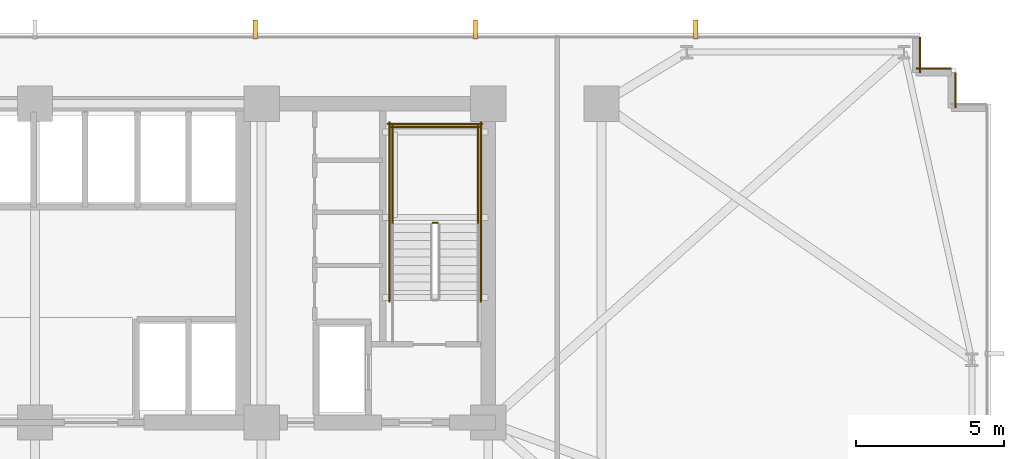
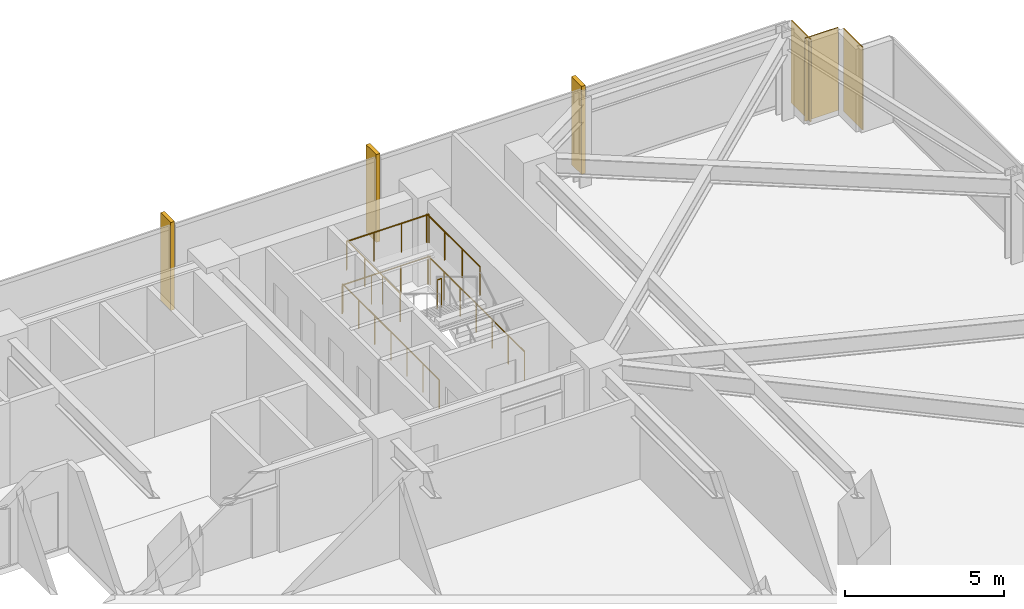
# One storey, part 32 of 33: 7 railings, 3 coverings, 3 shading devices.
"""IFC4 building model written with IfcOpenShell, lengths in metres."""

import ifcopenshell
import ifcopenshell.guid

model = None  # the IFC model being written
_history = None  # IfcOwnerHistory: only IFC2X3 demands one
_inside = {}  # id of a spatial element -> (the spatial element, [elements in it])
_under = {}  # id of a project, library or spatial element -> (it, [spatial elements below it])
_declared = {}  # id of a project -> (the project, [libraries it declares])
_typed = {}  # id of a type object -> (the type object, [elements of that type])
_made_of = {}  # id of a material, layer set ... -> (it, [elements and type objects made of it])


def new_model(schema):
    """Start an empty IFC model of exactly this schema.

    Asked for "IFC4X3", IfcOpenShell would pick the latest addendum, in which some entities
    have other attributes; the version numbers below select the first issue.
    IFC2X3 requires an IfcOwnerHistory on every rooted entity: one is made here for all.
    """
    global model, _history
    if schema == "IFC4X3":
        model = ifcopenshell.file(schema_version=(4, 3, 0, 0))
    else:
        model = ifcopenshell.file(schema=schema)
    _inside.clear()
    _under.clear()
    _declared.clear()
    _typed.clear()
    _made_of.clear()
    _history = None
    if model.schema == "IFC2X3":
        org = make("IfcOrganization", Name="unknown")
        user = make(
            "IfcPersonAndOrganization",
            ThePerson=make("IfcPerson", FamilyName="unknown"),
            TheOrganization=org,
        )
        app = make(
            "IfcApplication",
            ApplicationDeveloper=org,
            Version="unknown",
            ApplicationFullName="unknown",
            ApplicationIdentifier="unknown",
        )
        _history = make(
            "IfcOwnerHistory",
            OwningUser=user,
            OwningApplication=app,
            ChangeAction="ADDED",
            CreationDate=0,
        )
    return model


def make(cls, **values):
    """One entity of the class cls with the attributes given. An attribute that is None is left unset."""
    return model.create_entity(
        cls, **{name: value for name, value in values.items() if value is not None}
    )


def rooted(cls, **values):
    """An entity with a GlobalId (a new one), such as an element, a storey or a relation."""
    return make(cls, GlobalId=ifcopenshell.guid.new(), OwnerHistory=_history, **values)


def si_unit(unit_type, name, prefix=None):
    """IfcSIUnit, for example si_unit("LENGTHUNIT", "METRE", prefix="MILLI")."""
    return make("IfcSIUnit", UnitType=unit_type, Prefix=prefix, Name=name)


def assignment(units):
    """IfcUnitAssignment: the units of a project."""
    return None if units is None else make("IfcUnitAssignment", Units=units)


def point(xyz):
    """IfcCartesianPoint."""
    return None if xyz is None else make("IfcCartesianPoint", Coordinates=xyz)


def direction(xyz):
    """IfcDirection."""
    return None if xyz is None else make("IfcDirection", DirectionRatios=xyz)


def frame(location, z_axis=None, x_axis=None):
    """IfcAxis2Placement3D, a coordinate frame: its origin and axes. An axis left out is left unset."""
    return make(
        "IfcAxis2Placement3D",
        Location=point(location),
        Axis=direction(z_axis),
        RefDirection=direction(x_axis),
    )


def frame_2d(location, x_axis=None):
    """IfcAxis2Placement2D, a coordinate frame in the plane: its origin and x axis."""
    return make(
        "IfcAxis2Placement2D", Location=point(location), RefDirection=direction(x_axis)
    )


def origin():
    """The frame at (0, 0, 0) with its axes left unset."""
    return frame((0.0, 0.0, 0.0))


def origin_2d():
    """The frame at (0, 0) in the plane with its x axis left unset."""
    return frame_2d((0.0, 0.0))


def place(relative_to, where):
    """IfcLocalPlacement: puts the frame where relative to a parent placement (None: the world)."""
    return make(
        "IfcLocalPlacement", PlacementRelTo=relative_to, RelativePlacement=where
    )


def context(
    kind, dimensions, precision=None, world=None, true_north=None, identifier=None
):
    """IfcGeometricRepresentationContext, for example the 3D "Model" context."""
    return make(
        "IfcGeometricRepresentationContext",
        ContextIdentifier=identifier,
        ContextType=kind,
        CoordinateSpaceDimension=dimensions,
        Precision=precision,
        WorldCoordinateSystem=world,
        TrueNorth=true_north,
    )


def subcontext(parent, identifier, kind, view, scale=None):
    """IfcGeometricRepresentationSubContext, for example "Body" below "Model"."""
    return make(
        "IfcGeometricRepresentationSubContext",
        ContextIdentifier=identifier,
        ContextType=kind,
        ParentContext=parent,
        TargetScale=scale,
        TargetView=view,
    )


def project(units=None, contexts=None):
    """IfcProject with its units and contexts."""
    return rooted(
        "IfcProject",
        Name="project",
        RepresentationContexts=contexts,
        UnitsInContext=assignment(units),
    )


def spatial(cls, under=None, at=None, **own):
    """A site, building, storey or space (cls), placed at a placement, below another one or the project."""
    s = rooted(cls, ObjectPlacement=at, **own)
    if under is not None:
        _under.setdefault(under.id(), (under, []))[1].append(s)
    return s


def profile(cls, at=None, kind="AREA", **sizes):
    """A parametric profile (cls). Its sizes go by their IFC names, for example OverallWidth=200.0."""
    return make(cls, ProfileType=kind, Position=at, **sizes)


def rectangle(**sizes):
    """IfcRectangleProfileDef."""
    return profile("IfcRectangleProfileDef", **sizes)


def circle(**sizes):
    """IfcCircleProfileDef."""
    return profile("IfcCircleProfileDef", **sizes)


def extrude(swept, where, along, depth):
    """IfcExtrudedAreaSolid: the profile swept, set in the frame where, extruded along a direction by depth."""
    return make(
        "IfcExtrudedAreaSolid",
        SweptArea=swept,
        Position=where,
        ExtrudedDirection=direction(along),
        Depth=depth,
    )


def shape(context_of_items, identifier, shape_type, items):
    """IfcShapeRepresentation: the items that make up one representation, for example the "Body"."""
    return make(
        "IfcShapeRepresentation",
        ContextOfItems=context_of_items,
        RepresentationIdentifier=identifier,
        RepresentationType=shape_type,
        Items=items,
    )


def material(Name=None, Category=None):
    """IfcMaterial."""
    return make("IfcMaterial", Name=Name, Category=Category)


def layer(
    of_material, thickness, ventilated=None, Name=None, Category=None, Priority=None
):
    """IfcMaterialLayer: one layer of a wall or slab, of a material (None: an air gap)."""
    return make(
        "IfcMaterialLayer",
        Material=of_material,
        LayerThickness=thickness,
        IsVentilated=ventilated,
        Name=Name,
        Category=Category,
        Priority=Priority,
    )


def layer_set(layers, Name=None):
    """IfcMaterialLayerSet."""
    return make("IfcMaterialLayerSet", MaterialLayers=layers, LayerSetName=Name)


def made_of(thing, what):
    """Note that an element or type object is made of a material, layer set ...; save() writes the relation."""
    if what is not None:
        _made_of.setdefault(what.id(), (what, []))[1].append(thing)
    return thing


def type_object(cls, material=None, **own):
    """A type object (cls), such as IfcWallType, which elements share."""
    return made_of(rooted(cls, **own), material)


def element(
    cls,
    number,
    at=None,
    inside=None,
    cuts=None,
    type_object=None,
    material=None,
    context=None,
    identifier="Body",
    shape_type=None,
    held_by="IfcProductDefinitionShape",
    body=None,
    shapes=None,
    **own,
):
    """One element of the class cls, such as IfcWall. Its Tag is "e" and its number.

    at: its placement. inside: the storey or other place that contains it. cuts: it is an
    opening in that element (IfcRelVoidsElement). A single representation is given by context,
    identifier, shape_type and body (its items); several are given by shapes. held_by: the class
    of the entity that holds the representations. save() writes the other relations.
    """
    e = rooted(cls, Tag="e%d" % number, ObjectPlacement=at, **own)
    if body is not None:
        shapes = [shape(context, identifier, shape_type, body)]
    if shapes is not None:
        e.Representation = make(held_by, Representations=shapes)
    if inside is not None:
        _inside.setdefault(inside.id(), (inside, []))[1].append(e)
    if cuts is not None:
        rooted(
            "IfcRelVoidsElement", RelatingBuildingElement=cuts, RelatedOpeningElement=e
        )
    if type_object is not None:
        _typed.setdefault(type_object.id(), (type_object, []))[1].append(e)
    return made_of(e, material)


def aggregate(whole, parts):
    """IfcRelAggregates: a whole, such as a stair, and the parts it consists of."""
    return rooted("IfcRelAggregates", RelatingObject=whole, RelatedObjects=parts)


def save(model, path):
    """Write the relations noted so far, then the file.

    IfcRelAggregates (storeys below a building ...), IfcRelContainedInSpatialStructure (elements
    in a storey), IfcRelDefinesByType, IfcRelAssociatesMaterial and IfcRelDeclares: one each for
    every whole, place, type object, material and project.
    """
    for whole, parts in _under.values():
        aggregate(whole, parts)
    for where, things in _inside.values():
        rooted(
            "IfcRelContainedInSpatialStructure",
            RelatedElements=things,
            RelatingStructure=where,
        )
    for kind, things in _typed.values():
        rooted("IfcRelDefinesByType", RelatedObjects=things, RelatingType=kind)
    for what, things in _made_of.values():
        rooted("IfcRelAssociatesMaterial", RelatedObjects=things, RelatingMaterial=what)
    for by, libraries in _declared.values():
        rooted("IfcRelDeclares", RelatingContext=by, RelatedDefinitions=libraries)
    model.write(path)


model = new_model("IFC4")

# Units and contexts
model_context = context("Model", 3, precision=1e-05, world=origin(), true_north=direction((0.0, 1.0)))
body_context = subcontext(model_context, "Body", "Model", "MODEL_VIEW")
ifc_project = project(units=[si_unit("LENGTHUNIT", "METRE"), si_unit("AREAUNIT", "SQUARE_METRE"), si_unit("VOLUMEUNIT", "CUBIC_METRE"), si_unit("PLANEANGLEUNIT", "RADIAN"), si_unit("MASSUNIT", "GRAM", prefix="KILO")], contexts=[model_context])

# Site, building, storey
site_placement = place(None, origin())
site = spatial("IfcSite", under=ifc_project, at=site_placement, CompositionType="ELEMENT")
building_placement = place(site_placement, origin())
building = spatial("IfcBuilding", under=site, at=building_placement, Name="Yelkora Congress Tower", CompositionType="ELEMENT")
storey_placement = place(building_placement, frame((0.0, 0.0, 71.199951171875)))
storey = spatial("IfcBuildingStorey", under=building, at=storey_placement, Name="L18", CompositionType="ELEMENT", Elevation=71.199951171875)

# Coverings
ifc_material_1 = material(Name="Anatolian bush-hammered limestone", Category="masonry")
ifc_layer_1 = layer(ifc_material_1, 0.0400390625)
ifc_layer_set_1 = layer_set([ifc_layer_1], Name="Anatolian bush-hammered limestone")
covering_type = type_object("IfcCoveringType", Name="COV-CLAD-SPANDREL-40", PredefinedType="CLADDING", material=ifc_layer_set_1)
for number, where, z_axis, x_axis, name in (
    (1, (68.39501953125, 48.4599609375, 0.0), (0.0, 0.0, 1.0), (0.0, -1.0, 0.0), "L18 Anatolian Limestone Cladding EW-L18-SR11"),
    (2, (68.260009765625, 47.39501953125, 0.0), (0.0, 0.0, 1.0), (1.0, 0.0, 0.0), "L18 Anatolian Limestone Cladding EW-L18-SR12"),
    (3, (69.594970703125, 47.260009765625, 0.0), (0.0, 0.0, 1.0), (0.0, -1.0, 0.0), "L18 Anatolian Limestone Cladding EW-L18-SR13"),
):
    element("IfcCovering", number, at=place(storey_placement, frame(where, z_axis=z_axis, x_axis=x_axis)), inside=storey, type_object=covering_type, Name=name, PredefinedType="CLADDING", context=body_context, shape_type="SweptSolid", body=[
        extrude(rectangle(XDim=1.199951171875, YDim=0.0400390625, at=frame_2d((0.60009765625, 0.0))), origin(), (0.0, 0.0, 1.0), 3.179931640625),
    ])

# Railings
ifc_material_2 = material(Name="Painted galvanised steel stair well guard with vertical infill", Category="steel")
ifc_layer_2 = layer(ifc_material_2, 0.06005859375)
ifc_layer_set_2 = layer_set([ifc_layer_2], Name="Painted galvanised steel stair well guard with vertical infill")
railing_type = type_object("IfcRailingType", Name="RAIL-STAIR-GUARD-1120", PredefinedType="GUARDRAIL", material=ifc_layer_set_2)
railing_1_placement = place(storey_placement, frame((52.0400390625, 42.169921875, 1.699951171875)))
element("IfcRailing", 4, at=railing_1_placement, inside=storey, type_object=railing_type, Name="ST-02 L18 Stair Well Guardrail 2", PredefinedType="GUARDRAIL", context=body_context, shape_type="SweptSolid", body=[
    extrude(circle(Radius=0.02392578125, at=origin_2d()), frame((0.0, 0.0, 1.09619140625), z_axis=(-1.0, 0.0, 0.0), x_axis=(0.0, -1.0, 0.0)), (0.0, 0.0, 1.0), 0.16015625),
    extrude(circle(Radius=0.02099609375, at=origin_2d()), origin(), (0.0, 0.0, 1.0), 1.072021484375),
    extrude(circle(Radius=0.02099609375, at=origin_2d()), frame((-0.16015625, 0.0, 0.0)), (0.0, 0.0, 1.0), 1.072021484375),
])
for number, where, name in (
    (5, (53.409912109375, 42.1201171875, 1.699951171875), "ST-02 L18 Stair Well Guardrail 3"),
    (6, (50.510009765625, 42.1201171875, 1.699951171875), "ST-02 L18 Stair Well Guardrail 4"),
):
    element("IfcRailing", number, at=place(storey_placement, frame(where)), inside=storey, type_object=railing_type, Name=name, PredefinedType="GUARDRAIL", context=body_context, shape_type="SweptSolid", body=[
        extrude(circle(Radius=0.02392578125, at=origin_2d()), frame((0.0, 0.0, 1.09619140625), z_axis=(0.0, 1.0, 0.0), x_axis=(-1.0, 0.0, 0.0)), (0.0, 0.0, 1.0), 3.349853515625),
        extrude(circle(Radius=0.02099609375, at=origin_2d()), origin(), (0.0, 0.0, 1.0), 1.072021484375),
        extrude(circle(Radius=0.02099609375, at=origin_2d()), frame((0.0, 1.11669921875, 0.0)), (0.0, 0.0, 1.0), 1.072021484375),
        extrude(circle(Radius=0.02099609375, at=origin_2d()), frame((0.0, 2.233154296875, 0.0)), (0.0, 0.0, 1.0), 1.072021484375),
        extrude(circle(Radius=0.02099609375, at=origin_2d()), frame((0.0, 3.349853515625, 0.0)), (0.0, 0.0, 1.0), 1.072021484375),
    ])
railing_2_placement = place(storey_placement, frame((53.4599609375, 45.419921875, 1.699951171875)))
element("IfcRailing", 7, at=railing_2_placement, inside=storey, type_object=railing_type, Name="ST-02 L18 Stair Well Guardrail 5", PredefinedType="GUARDRAIL", context=body_context, shape_type="SweptSolid", body=[
    extrude(circle(Radius=0.02392578125, at=origin_2d()), frame((0.0, 0.0, 1.09619140625), z_axis=(-1.0, 0.0, 0.0), x_axis=(0.0, -1.0, 0.0)), (0.0, 0.0, 1.0), 3.0),
    extrude(circle(Radius=0.02099609375, at=origin_2d()), origin(), (0.0, 0.0, 1.0), 1.072021484375),
    extrude(circle(Radius=0.02099609375, at=origin_2d()), frame((-1.0, 0.0, 0.0)), (0.0, 0.0, 1.0), 1.072021484375),
    extrude(circle(Radius=0.02099609375, at=origin_2d()), frame((-2.0, 0.0, 0.0)), (0.0, 0.0, 1.0), 1.072021484375),
    extrude(circle(Radius=0.02099609375, at=origin_2d()), frame((-3.0, 0.0, 0.0)), (0.0, 0.0, 1.0), 1.072021484375),
])
for number, where, name in (
    (8, (53.510009765625, 39.5, 0.0), "ST-02 L18 Stair Well Guardrail 10"),
    (9, (50.409912109375, 39.5, 0.0), "ST-02 L18 Stair Well Guardrail 11"),
):
    element("IfcRailing", number, at=place(storey_placement, frame(where)), inside=storey, type_object=railing_type, Name=name, PredefinedType="GUARDRAIL", context=body_context, shape_type="SweptSolid", body=[
        extrude(circle(Radius=0.02392578125, at=origin_2d()), frame((0.0, 0.0, 1.09619140625), z_axis=(0.0, 1.0, 0.0), x_axis=(-1.0, 0.0, 0.0)), (0.0, 0.0, 1.0), 6.070068359375),
        extrude(circle(Radius=0.02099609375, at=origin_2d()), origin(), (0.0, 0.0, 1.0), 1.072021484375),
        extrude(circle(Radius=0.02099609375, at=origin_2d()), frame((0.0, 1.01171875, 0.0)), (0.0, 0.0, 1.0), 1.072021484375),
        extrude(circle(Radius=0.02099609375, at=origin_2d()), frame((0.0, 2.0234375, 0.0)), (0.0, 0.0, 1.0), 1.072021484375),
        extrude(circle(Radius=0.02099609375, at=origin_2d()), frame((0.0, 3.03515625, 0.0)), (0.0, 0.0, 1.0), 1.072021484375),
        extrude(circle(Radius=0.02099609375, at=origin_2d()), frame((0.0, 4.046630859375, 0.0)), (0.0, 0.0, 1.0), 1.072021484375),
        extrude(circle(Radius=0.02099609375, at=origin_2d()), frame((0.0, 5.058349609375, 0.0)), (0.0, 0.0, 1.0), 1.072021484375),
        extrude(circle(Radius=0.02099609375, at=origin_2d()), frame((0.0, 6.070068359375, 0.0)), (0.0, 0.0, 1.0), 1.072021484375),
    ])
railing_3_placement = place(storey_placement, frame((53.56005859375, 45.52001953125, 0.0)))
element("IfcRailing", 10, at=railing_3_placement, inside=storey, type_object=railing_type, Name="ST-02 L18 Stair Well Guardrail 12", PredefinedType="GUARDRAIL", context=body_context, shape_type="SweptSolid", body=[
    extrude(circle(Radius=0.02392578125, at=origin_2d()), frame((0.0, 0.0, 1.09619140625), z_axis=(-1.0, 0.0, 0.0), x_axis=(0.0, -1.0, 0.0)), (0.0, 0.0, 1.0), 3.199951171875),
    extrude(circle(Radius=0.02099609375, at=origin_2d()), origin(), (0.0, 0.0, 1.0), 1.072021484375),
    extrude(circle(Radius=0.02099609375, at=origin_2d()), frame((-1.066650390625, 0.0, 0.0)), (0.0, 0.0, 1.0), 1.072021484375),
    extrude(circle(Radius=0.02099609375, at=origin_2d()), frame((-2.13330078125, 0.0, 0.0)), (0.0, 0.0, 1.0), 1.072021484375),
    extrude(circle(Radius=0.02099609375, at=origin_2d()), frame((-3.199951171875, 0.0, 0.0)), (0.0, 0.0, 1.0), 1.072021484375),
])

# Shading devices
ifc_material_3 = material(Name="Champagne anodised aluminium", Category="aluminium")
ifc_layer_3 = layer(ifc_material_3, 3.39990234375)
ifc_layer_set_3 = layer_set([ifc_layer_3], Name="Champagne anodised aluminium")
shading_device_type = type_object("IfcShadingDeviceType", Name="SHD-FIN-ALU-640", PredefinedType="USERDEFINED", material=ifc_layer_set_3)
for number, where, z_axis, x_axis, name in (
    (11, (45.864990234375, 48.719970703125, -0.02978515625), (0.0, 0.0, 1.0), (1.0, 0.0, 0.0), "L18 Vertical Anodised Solar Fin 10-5"),
    (12, (53.330078125, 48.719970703125, -0.02978515625), (0.0, 0.0, 1.0), (1.0, 0.0, 0.0), "L18 Vertical Anodised Solar Fin 10-6"),
    (13, (60.794921875, 48.719970703125, -0.02978515625), (0.0, 0.0, 1.0), (1.0, 0.0, 0.0), "L18 Vertical Anodised Solar Fin 10-7"),
):
    element("IfcShadingDevice", number, at=place(storey_placement, frame(where, z_axis=z_axis, x_axis=x_axis)), inside=storey, type_object=shading_device_type, Name=name, ObjectType="FIN", PredefinedType="USERDEFINED", context=body_context, shape_type="SweptSolid", body=[
        extrude(rectangle(XDim=0.139892578125, YDim=0.639892578125, at=origin_2d()), origin(), (0.0, 0.0, 1.0), 3.3798828125),
    ])

save(model, "model.ifc")
